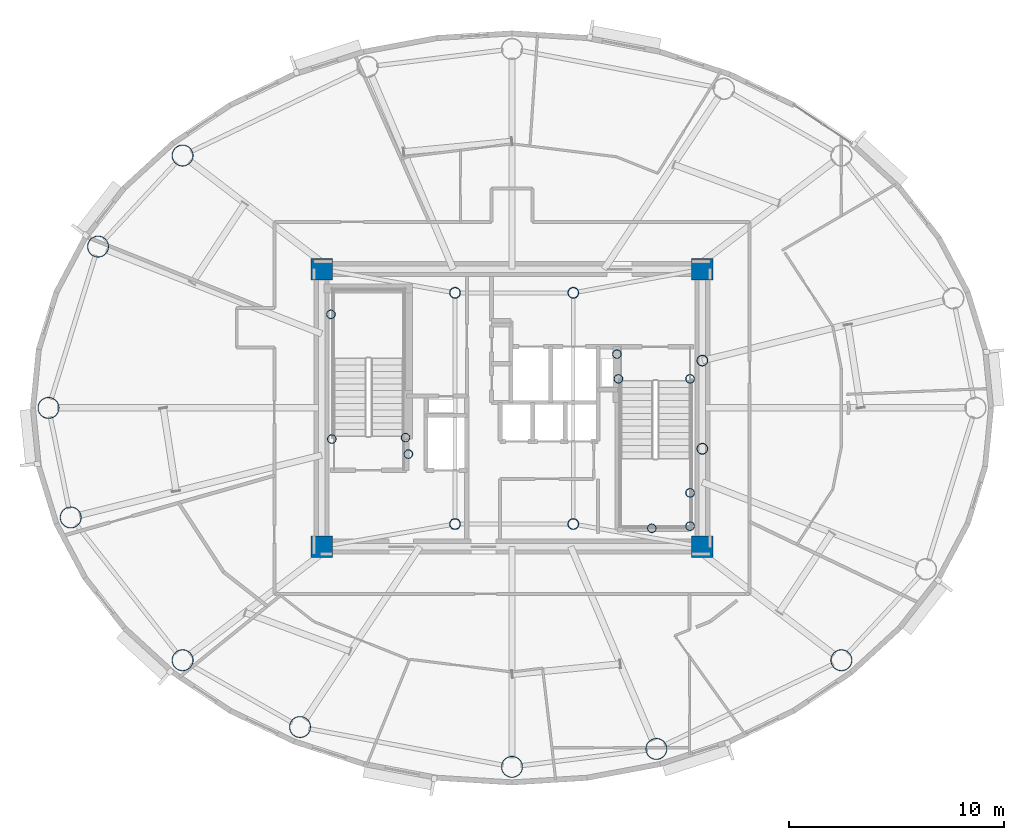
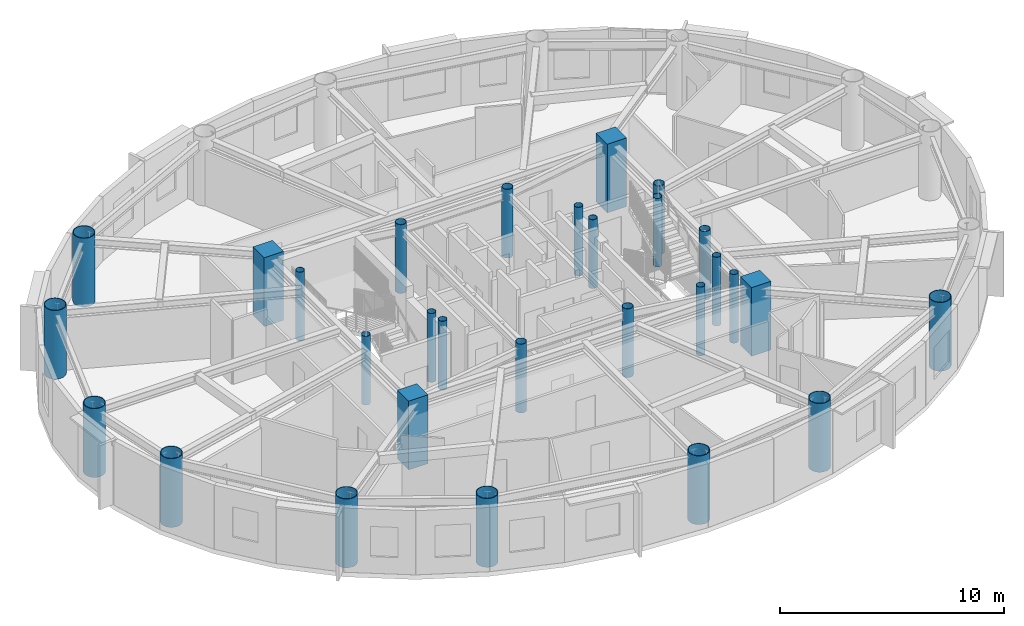
# One storey, part 1 of 16: 29 columns.
"""IFC4 building model written with IfcOpenShell, lengths in metres."""

from ifc_helpers import new_model, si_unit, direction, frame, origin, origin_2d, place, context, subcontext, project, spatial, rectangle, hollow_circle, extrude, material, material_profile, profile_set, type_object, element, save


model = new_model("IFC4")

# Units and contexts
model_context = context("Model", 3, precision=1e-05, world=origin(), true_north=direction((0.0, 1.0)))
body_context = subcontext(model_context, "Body", "Model", "MODEL_VIEW")
ifc_project = project(units=[si_unit("LENGTHUNIT", "METRE"), si_unit("AREAUNIT", "SQUARE_METRE"), si_unit("VOLUMEUNIT", "CUBIC_METRE"), si_unit("PLANEANGLEUNIT", "RADIAN"), si_unit("MASSUNIT", "GRAM", prefix="KILO")], contexts=[model_context])

# Site, building, storey
site_placement = place(None, origin())
site = spatial("IfcSite", under=ifc_project, at=site_placement, CompositionType="ELEMENT")
building_placement = place(site_placement, origin())
building = spatial("IfcBuilding", under=site, at=building_placement, Name="Linh Dai School and Residence Tower", CompositionType="ELEMENT")
storey_placement = place(building_placement, frame((0.0, 0.0, 306.75)))
storey = spatial("IfcBuildingStorey", under=building, at=storey_placement, Name="L76", CompositionType="ELEMENT", Elevation=306.75)

# Columns
ifc_material_1 = material(Name="Concrete B45 (C35/45)", Category="concrete")
ifc_material_profile_1 = material_profile(ifc_material_1, rectangle(XDim=1.0, YDim=1.0, at=origin_2d()), Name="RC 1000x1000")
ifc_profile_set_1 = profile_set([ifc_material_profile_1], Name="Concrete B45 (C35/45)")
column_type_1 = type_object("IfcColumnType", Name="COL-CC3", PredefinedType="COLUMN", material=ifc_profile_set_1)
for number, where, z_axis, x_axis, name in (
    (1, (27.14990234375, 20.550048828125, 0.0), (0.0, 0.0, 1.0), (1.0, 0.0, 0.0), "L76 Core Corner Pier CC1"),
    (2, (44.85009765625, 20.550048828125, 0.0), (0.0, 0.0, 1.0), (1.0, 0.0, 0.0), "L76 Core Corner Pier CC2"),
    (3, (44.85009765625, 33.449951171875, 0.0), (0.0, 0.0, 1.0), (1.0, 0.0, 0.0), "L76 Core Corner Pier CC3"),
    (4, (27.14990234375, 33.449951171875, 0.0), (0.0, 0.0, 1.0), (1.0, 0.0, 0.0), "L76 Core Corner Pier CC4"),
):
    element("IfcColumn", number, at=place(storey_placement, frame(where, z_axis=z_axis, x_axis=x_axis)), inside=storey, type_object=column_type_1, Name=name, PredefinedType="COLUMN", context=body_context, shape_type="SweptSolid", body=[
        extrude(rectangle(XDim=1.0, YDim=1.0, at=origin_2d()), origin(), (0.0, 0.0, 1.0), 3.75),
    ])
ifc_material_2 = material(Name="Structural Steel S355JR", Category="steel")
ifc_material_profile_2 = material_profile(ifc_material_2, hollow_circle(Radius=0.203125, WallThickness=0.01611328125, at=origin_2d()), Name="CHS 406.4x16")
ifc_profile_set_2 = profile_set([ifc_material_profile_2], Name="Structural Steel S355JR")
column_type_2 = type_object("IfcColumnType", Name="COL-EC", PredefinedType="COLUMN", material=ifc_profile_set_2)
for number, where, z_axis, x_axis, name in (
    (5, (27.580078125, 31.35009765625, 0.0), (0.0, 0.0, 1.0), (1.0, 0.0, 0.0), "L76 Stair Shaft Landing Support Pier ST1NW"),
    (6, (31.050048828125, 25.6201171875, 0.0), (0.0, 0.0, 1.0), (1.0, 0.0, 0.0), "L76 Stair Shaft Landing Support Pier ST1SE"),
    (7, (31.179931640625, 24.85009765625, 0.0), (0.0, 0.0, 1.0), (1.0, 0.0, 0.0), "L76 Stair Shaft Landing Support Pier ST1SM"),
    (8, (27.6201171875, 25.550048828125, 0.0), (0.0, 0.0, 1.0), (1.0, 0.0, 0.0), "L76 Stair Shaft Landing Support Pier ST1SW"),
    (9, (44.280029296875, 21.5, 0.0), (0.0, 0.0, 1.0), (1.0, 0.0, 0.0), "L76 Stair Shaft Landing Support Pier ST2SE"),
    (10, (44.280029296875, 23.050048828125, 0.0), (0.0, 0.0, 1.0), (1.0, 0.0, 0.0), "L76 Stair Shaft Landing Support Pier ST2NE"),
    (11, (42.5, 21.39990234375, 0.0), (0.0, 0.0, 1.0), (1.0, 0.0, 0.0), "L76 Stair Shaft Landing Support Pier ST2MS"),
    (12, (40.949951171875, 28.35009765625, 0.0), (0.0, 0.0, 1.0), (1.0, 0.0, 0.0), "L76 Stair Shaft Landing Support Pier ST2N1"),
    (13, (44.280029296875, 28.35009765625, 0.0), (0.0, 0.0, 1.0), (1.0, 0.0, 0.0), "L76 Stair Shaft Landing Support Pier ST2N2"),
    (14, (40.8798828125, 29.5, 0.0), (0.0, 0.0, 1.0), (1.0, 0.0, 0.0), "L76 Stair Shaft Landing Support Pier ST2N3"),
):
    element("IfcColumn", number, at=place(storey_placement, frame(where, z_axis=z_axis, x_axis=x_axis)), inside=storey, type_object=column_type_2, Name=name, PredefinedType="COLUMN", context=body_context, shape_type="SweptSolid", body=[
        extrude(hollow_circle(Radius=0.203125, WallThickness=0.01611328125, at=origin_2d()), origin(), (0.0, 0.0, 1.0), 3.75),
    ])
ifc_material_profile_3 = material_profile(ifc_material_2, hollow_circle(Radius=0.5, WallThickness=0.031982421875, at=origin_2d()), Name="CHS 1000x32")
ifc_profile_set_3 = profile_set([ifc_material_profile_3], Name="Structural Steel S355JR")
column_type_3 = type_object("IfcColumnType", Name="COL-MC6", PredefinedType="COLUMN", material=ifc_profile_set_3)
for number, where, z_axis, x_axis, name in (
    (15, (20.684814453125, 38.7333984375, 0.0), (0.0, 0.0, 1.0), (1.0, 0.0, 0.0), "L76 Perimeter CFT Mega-Column MC07"),
    (16, (16.75390625, 34.49951171875, 0.0), (0.0, 0.0, 1.0), (1.0, 0.0, 0.0), "L76 Perimeter CFT Mega-Column MC08"),
    (17, (14.449951171875, 27.0, 0.0), (0.0, 0.0, 1.0), (1.0, 0.0, 0.0), "L76 Perimeter CFT Mega-Column MC09"),
    (18, (15.4814453125, 21.905517578125, 0.0), (0.0, 0.0, 1.0), (1.0, 0.0, 0.0), "L76 Perimeter CFT Mega-Column MC10"),
    (19, (20.684814453125, 15.2666015625, 0.0), (0.0, 0.0, 1.0), (1.0, 0.0, 0.0), "L76 Perimeter CFT Mega-Column MC11"),
    (20, (26.1455078125, 12.1611328125, 0.0), (0.0, 0.0, 1.0), (1.0, 0.0, 0.0), "L76 Perimeter CFT Mega-Column MC12"),
    (21, (36.0, 10.31005859375, 0.0), (0.0, 0.0, 1.0), (1.0, 0.0, 0.0), "L76 Perimeter CFT Mega-Column MC13"),
    (22, (42.71240234375, 11.142333984375, 0.0), (0.0, 0.0, 1.0), (1.0, 0.0, 0.0), "L76 Perimeter CFT Mega-Column MC14"),
    (23, (51.315185546875, 15.2666015625, 0.0), (0.0, 0.0, 1.0), (1.0, 0.0, 0.0), "L76 Perimeter CFT Mega-Column MC15"),
):
    element("IfcColumn", number, at=place(storey_placement, frame(where, z_axis=z_axis, x_axis=x_axis)), inside=storey, type_object=column_type_3, Name=name, PredefinedType="COLUMN", context=body_context, shape_type="SweptSolid", body=[
        extrude(hollow_circle(Radius=0.5, WallThickness=0.031982421875, at=origin_2d()), origin(), (0.0, 0.0, 1.0), 3.75),
    ])
ifc_material_profile_4 = material_profile(ifc_material_2, hollow_circle(Radius=0.25390625, WallThickness=0.02001953125, at=origin_2d()), Name="CHS 508x20")
ifc_profile_set_4 = profile_set([ifc_material_profile_4], Name="Structural Steel S355JR")
column_type_4 = type_object("IfcColumnType", Name="COL-MCP", PredefinedType="COLUMN", material=ifc_profile_set_4)
for number, where, z_axis, x_axis, name in (
    (24, (33.35009765625, 21.60009765625, 0.0), (0.0, 0.0, 1.0), (1.0, 0.0, 0.0), "L76 Core Mast Support Pier MCP1"),
    (25, (38.85009765625, 21.60009765625, 0.0), (0.0, 0.0, 1.0), (1.0, 0.0, 0.0), "L76 Core Mast Support Pier MCP2"),
    (26, (38.85009765625, 32.35009765625, 0.0), (0.0, 0.0, 1.0), (1.0, 0.0, 0.0), "L76 Core Mast Support Pier MCP3"),
    (27, (33.35009765625, 32.35009765625, 0.0), (0.0, 0.0, 1.0), (1.0, 0.0, 0.0), "L76 Core Mast Support Pier MCP4"),
    (28, (44.85009765625, 25.10009765625, 0.0), (0.0, 0.0, 1.0), (1.0, 0.0, 0.0), "L76 Sky-Lounge Core Anchor Pier S"),
    (29, (44.85009765625, 29.199951171875, 0.0), (0.0, 0.0, 1.0), (1.0, 0.0, 0.0), "L76 Sky-Lounge Core Anchor Pier N"),
):
    element("IfcColumn", number, at=place(storey_placement, frame(where, z_axis=z_axis, x_axis=x_axis)), inside=storey, type_object=column_type_4, Name=name, PredefinedType="COLUMN", context=body_context, shape_type="SweptSolid", body=[
        extrude(hollow_circle(Radius=0.25390625, WallThickness=0.02001953125, at=origin_2d()), origin(), (0.0, 0.0, 1.0), 3.75),
    ])

save(model, "model.ifc")
